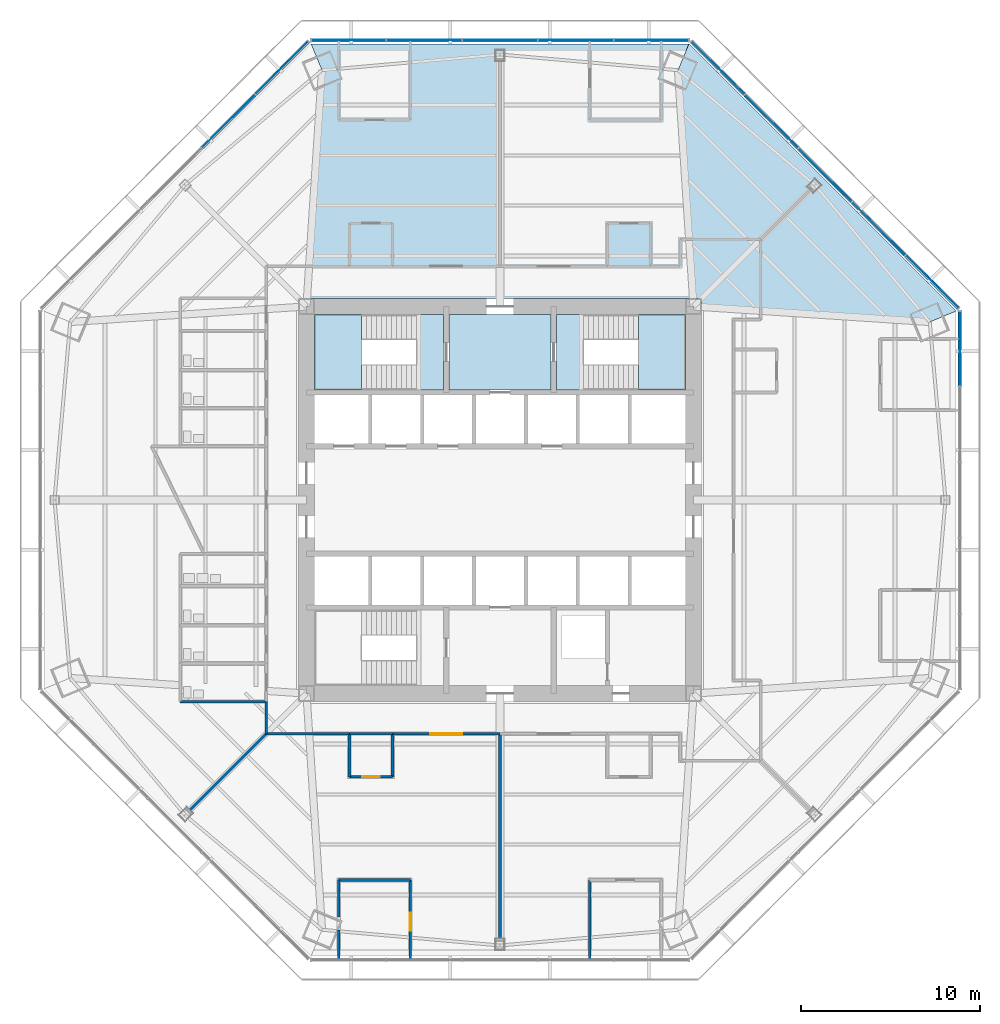
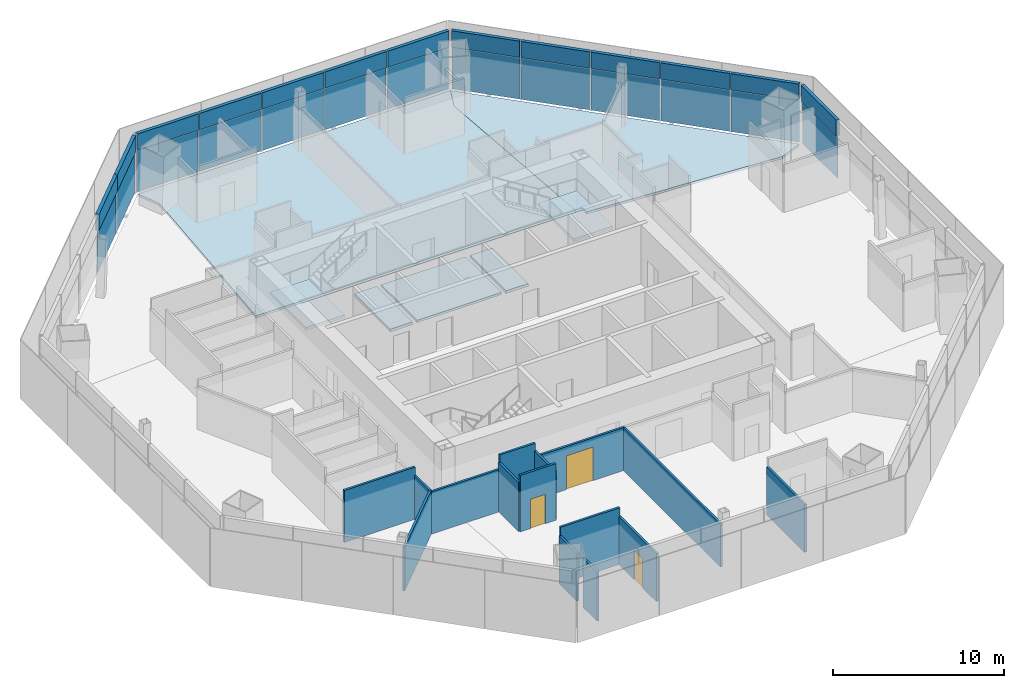
# One storey, part 10 of 18: 26 plates, 15 walls, 7 slabs, 3 doors, 3 openings, 6 elements without a shape of their own.
"""IFC4 building model written with IfcOpenShell, lengths in metres."""

from ifc_helpers import new_model, si_unit, direction, frame, frame_2d, origin, origin_2d, place, context, subcontext, project, spatial, polyline, rectangle, outline, extrude, source, transform, mapped, material, layer, layer_set, type_object, type_shapes, element, fill, aggregate, save


model = new_model("IFC4")

# Units and contexts
model_context = context("Model", 3, precision=1e-05, world=origin(), true_north=direction((0.0, 1.0)))
body_context = subcontext(model_context, "Body", "Model", "MODEL_VIEW")
ifc_project = project(units=[si_unit("LENGTHUNIT", "METRE"), si_unit("AREAUNIT", "SQUARE_METRE"), si_unit("VOLUMEUNIT", "CUBIC_METRE"), si_unit("PLANEANGLEUNIT", "RADIAN"), si_unit("MASSUNIT", "GRAM", prefix="KILO")], contexts=[model_context])

# Site, building, storey
site_placement = place(None, origin())
site = spatial("IfcSite", under=ifc_project, at=site_placement, CompositionType="ELEMENT")
building_placement = place(site_placement, origin())
building = spatial("IfcBuilding", under=site, at=building_placement, Name="Mashrafa Tower", CompositionType="ELEMENT")
storey_placement = place(building_placement, frame((0.0, 0.0, 83.39990234375)))
storey = spatial("IfcBuildingStorey", under=building, at=storey_placement, Name="L18", CompositionType="ELEMENT", Elevation=83.39990234375)

# Slabs
ifc_material_1 = material(Name="Concrete C35/45", Category="concrete")
ifc_layer_1 = layer(ifc_material_1, 0.1650390625)
ifc_layer_set_1 = layer_set([ifc_layer_1], Name="Floor slab 165")
slab_type_1 = type_object("IfcSlabType", Name="Floor slab 165", PredefinedType="FLOOR", material=ifc_layer_set_1)
slab_1_placement = place(storey_placement, frame((0.0, 0.0, -0.164794921875)))
element("IfcSlab", 1, at=slab_1_placement, inside=storey, type_object=slab_type_1, Name="Floor slab L18 north-east bay", PredefinedType="FLOOR", context=body_context, shape_type="SweptSolid", body=[
    extrude(outline(polyline([(10.5439453125, 25.45556640625), (25.45556640625, 10.5439453125), (25.45556640625, 10.5439453125), (23.98193359375, 9.93359375), (11.25, 10.7705078125), (11.25, 11.25), (10.7705078125, 11.25), (9.93359375, 23.98193359375), (10.5439453125, 25.45556640625), (10.5439453125, 25.45556640625)])), origin(), (0.0, 0.0, 1.0), 0.164794921875),
])
slab_2_placement = place(storey_placement, frame((0.0, 0.0, -0.164794921875)))
element("IfcSlab", 2, at=slab_2_placement, inside=storey, type_object=slab_type_1, Name="Floor slab L18 north bay", PredefinedType="FLOOR", context=body_context, shape_type="SweptSolid", body=[
    extrude(outline(polyline([(10.5439453125, 25.45556640625), (9.93359375, 23.98193359375), (10.7705078125, 11.25), (-10.7705078125, 11.25), (-9.93359375, 23.98193359375), (-10.5439453125, 25.45556640625), (10.5439453125, 25.45556640625)])), origin(), (0.0, 0.0, 1.0), 0.164794921875),
])
slab_3_placement = place(storey_placement, frame((0.0, 0.0, -0.164794921875)))
element("IfcSlab", 3, at=slab_3_placement, inside=storey, type_object=slab_type_1, Name="Core floor fire-fighting lobby north L18", PredefinedType="FLOOR", context=body_context, shape_type="SweptSolid", body=[
    extrude(outline(polyline([(-2.85009765625, 10.35009765625), (2.85009765625, 10.35009765625), (2.85009765625, 6.14990234375), (-2.85009765625, 6.14990234375), (-2.85009765625, 10.35009765625)])), origin(), (0.0, 0.0, 1.0), 0.164794921875),
])

# Stair, slabs
ifc_material_2 = material(Name="Exit stair 1400")
stair_type = type_object("IfcStairType", Name="Exit stair 1400", PredefinedType="HALF_TURN_STAIR", material=ifc_material_2)
stair_1_placement = place(storey_placement, origin())
stair_1 = element("IfcStair", 4, at=stair_1_placement, inside=storey, type_object=stair_type, Name="Stair S1 L18", PredefinedType="HALF_TURN_STAIR")
ifc_material_3 = material(Name="Concrete C32/40", Category="concrete")
ifc_layer_2 = layer(ifc_material_3, 0.199951171875)
ifc_layer_set_2 = layer_set([ifc_layer_2], Name="Stair landing 200")
slab_type_2 = type_object("IfcSlabType", Name="Stair landing 200", PredefinedType="LANDING", material=ifc_layer_set_2)
slab_4_placement = place(storey_placement, frame((0.0, 0.0, -0.199951171875)))
slab_4 = element("IfcSlab", 5, at=slab_4_placement, type_object=slab_type_2, Name="S1 landing 1", PredefinedType="LANDING", context=body_context, shape_type="SweptSolid", body=[
    extrude(outline(polyline([(-4.659912109375, 6.14990234375), (-3.14990234375, 6.14990234375), (-3.14990234375, 10.35009765625), (-4.659912109375, 10.35009765625), (-4.659912109375, 6.14990234375)])), origin(), (0.0, 0.0, 1.0), 0.199951171875),
])
slab_5_placement = place(storey_placement, frame((0.0, 0.0, 1.900146484375)))
slab_5 = element("IfcSlab", 6, at=slab_5_placement, type_object=slab_type_2, Name="S1 landing 2", PredefinedType="LANDING", context=body_context, shape_type="SweptSolid", body=[
    extrude(outline(polyline([(-10.35009765625, 6.14990234375), (-7.719970703125, 6.14990234375), (-7.719970703125, 10.35009765625), (-10.35009765625, 10.35009765625), (-10.35009765625, 6.14990234375)])), origin(), (0.0, 0.0, 1.0), 0.199951171875),
])
aggregate(stair_1, [slab_4, slab_5])

stair_2_placement = place(storey_placement, origin())
stair_2 = element("IfcStair", 7, at=stair_2_placement, inside=storey, type_object=stair_type, Name="Stair S2 L18", PredefinedType="HALF_TURN_STAIR")
slab_6_placement = place(storey_placement, frame((0.0, 0.0, -0.199951171875)))
slab_6 = element("IfcSlab", 8, at=slab_6_placement, type_object=slab_type_2, Name="S2 landing 1", PredefinedType="LANDING", context=body_context, shape_type="SweptSolid", body=[
    extrude(outline(polyline([(3.14990234375, 6.14990234375), (4.659912109375, 6.14990234375), (4.659912109375, 10.35009765625), (3.14990234375, 10.35009765625), (3.14990234375, 6.14990234375)])), origin(), (0.0, 0.0, 1.0), 0.199951171875),
])
slab_7_placement = place(storey_placement, frame((0.0, 0.0, 1.900146484375)))
slab_7 = element("IfcSlab", 9, at=slab_7_placement, type_object=slab_type_2, Name="S2 landing 2", PredefinedType="LANDING", context=body_context, shape_type="SweptSolid", body=[
    extrude(outline(polyline([(7.719970703125, 6.14990234375), (10.35009765625, 6.14990234375), (10.35009765625, 10.35009765625), (7.719970703125, 10.35009765625), (7.719970703125, 6.14990234375)])), origin(), (0.0, 0.0, 1.0), 0.199951171875),
])
aggregate(stair_2, [slab_6, slab_7])

# Curtain wall, plate
ifc_material_4 = material(Name="Unitised aluminium curtain wall", Category="aluminium")
curtain_wall_type = type_object("IfcCurtainWallType", Name="Office curtain wall, zone 1 CW-A 200 deep", PredefinedType="NOTDEFINED", material=ifc_material_4)
curtain_wall_1_placement = place(storey_placement, origin())
curtain_wall_1 = element("IfcCurtainWall", 10, at=curtain_wall_1_placement, inside=storey, type_object=curtain_wall_type, Name="Office curtain wall, zone 1 L18 east", PredefinedType="NOTDEFINED")
ifc_material_5 = material(Name="Insulated double glazing, low-e, neutral", Category="glass")
ifc_layer_3 = layer(ifc_material_5, 0.028076171875)
ifc_layer_set_3 = layer_set([ifc_layer_3], Name="Vision panel CW-A 28")
plate_type_1 = type_object("IfcPlateType", Name="Vision panel CW-A 28", PredefinedType="CURTAIN_PANEL", material=ifc_layer_set_3)
shared_shape_1 = source(origin(), body_context, "Body", "SweptSolid", [
    extrude(rectangle(XDim=4.132568359375, YDim=0.028076171875, at=origin_2d()), origin(), (0.0, 0.0, 1.0), 2.9599609375),
])
plate_1_placement = place(storey_placement, frame((25.655517578125, 8.444091796875, 0.0), z_axis=(0.0, 0.0, 1.0), x_axis=(0.0, 1.0, 0.0)))
plate_1 = element("IfcPlate", 11, at=plate_1_placement, type_object=plate_type_1, Name="CW-A vision panel 5", PredefinedType="CURTAIN_PANEL", context=body_context, shape_type="MappedRepresentation", body=[
    mapped(shared_shape_1, transform((0.0, 0.0, 0.0))),
])

# Curtain wall, plates
curtain_wall_2_placement = place(storey_placement, origin())
curtain_wall_2 = element("IfcCurtainWall", 12, at=curtain_wall_2_placement, inside=storey, type_object=curtain_wall_type, Name="Office curtain wall, zone 1 L18 north-east", PredefinedType="NOTDEFINED")
plate_2_placement = place(storey_placement, frame((24.112060546875, 12.170166015625, 0.0), z_axis=(0.0, 0.0, 1.0), x_axis=(-0.707106781187, 0.707106781187, 0.0)))
plate_2 = element("IfcPlate", 13, at=plate_2_placement, type_object=plate_type_1, Name="CW-A vision panel 1", PredefinedType="CURTAIN_PANEL", context=body_context, shape_type="MappedRepresentation", body=[
    mapped(shared_shape_1, transform((0.0, 0.0, 0.0))),
])
plate_3_placement = place(storey_placement, frame((12.170166015625, 24.112060546875, 0.0), z_axis=(0.0, 0.0, 1.0), x_axis=(-0.707106781187, 0.707106781187, 0.0)))
plate_3 = element("IfcPlate", 14, at=plate_3_placement, type_object=plate_type_1, Name="CW-A vision panel 5", PredefinedType="CURTAIN_PANEL", context=body_context, shape_type="MappedRepresentation", body=[
    mapped(shared_shape_1, transform((0.0, 0.0, 0.0))),
])

curtain_wall_3_placement = place(storey_placement, origin())
curtain_wall_3 = element("IfcCurtainWall", 15, at=curtain_wall_3_placement, inside=storey, type_object=curtain_wall_type, Name="Office curtain wall, zone 1 L18 north", PredefinedType="NOTDEFINED")
plate_4_placement = place(storey_placement, frame((8.444091796875, 25.655517578125, 0.0), z_axis=(0.0, 0.0, 1.0), x_axis=(-1.0, 0.0, 0.0)))
plate_4 = element("IfcPlate", 16, at=plate_4_placement, type_object=plate_type_1, Name="CW-A vision panel 1", PredefinedType="CURTAIN_PANEL", context=body_context, shape_type="MappedRepresentation", body=[
    mapped(shared_shape_1, transform((0.0, 0.0, 0.0))),
])
plate_5_placement = place(storey_placement, frame((-8.444091796875, 25.655517578125, 0.0), z_axis=(0.0, 0.0, 1.0), x_axis=(-1.0, 0.0, 0.0)))
plate_5 = element("IfcPlate", 17, at=plate_5_placement, type_object=plate_type_1, Name="CW-A vision panel 5", PredefinedType="CURTAIN_PANEL", context=body_context, shape_type="MappedRepresentation", body=[
    mapped(shared_shape_1, transform((0.0, 0.0, 0.0))),
])

# Curtain wall, plate
curtain_wall_4_placement = place(storey_placement, origin())
curtain_wall_4 = element("IfcCurtainWall", 18, at=curtain_wall_4_placement, inside=storey, type_object=curtain_wall_type, Name="Office curtain wall, zone 1 L18 north-west", PredefinedType="NOTDEFINED")
plate_6_placement = place(storey_placement, frame((-12.170166015625, 24.112060546875, 0.0), z_axis=(0.0, 0.0, 1.0), x_axis=(-0.707106781187, -0.707106781187, 0.0)))
plate_6 = element("IfcPlate", 19, at=plate_6_placement, type_object=plate_type_1, Name="CW-A vision panel 1", PredefinedType="CURTAIN_PANEL", context=body_context, shape_type="MappedRepresentation", body=[
    mapped(shared_shape_1, transform((0.0, 0.0, 0.0))),
])

# Plate
ifc_material_6 = material(Name="Insulated aluminium spandrel panel", Category="aluminium")
ifc_layer_4 = layer(ifc_material_6, 0.219970703125)
ifc_layer_set_4 = layer_set([ifc_layer_4], Name="Spandrel panel CW-A 220")
plate_type_2 = type_object("IfcPlateType", Name="Spandrel panel CW-A 220", PredefinedType="CURTAIN_PANEL", material=ifc_layer_set_4)
shared_shape_2 = source(origin(), body_context, "Body", "SweptSolid", [
    extrude(rectangle(XDim=4.132568359375, YDim=0.219970703125, at=origin_2d()), origin(), (0.0, 0.0, 1.0), 1.159912109375),
])
plate_7_placement = place(storey_placement, frame((25.655517578125, 8.444091796875, 3.0400390625), z_axis=(0.0, 0.0, 1.0), x_axis=(0.0, 1.0, 0.0)))
plate_7 = element("IfcPlate", 20, at=plate_7_placement, type_object=plate_type_2, Name="CW-A spandrel panel 5", PredefinedType="CURTAIN_PANEL", context=body_context, shape_type="MappedRepresentation", body=[
    mapped(shared_shape_2, transform((0.0, 0.0, 0.0))),
])

aggregate(curtain_wall_1, [plate_1, plate_7])

plate_8_placement = place(storey_placement, frame((24.112060546875, 12.170166015625, 3.0400390625), z_axis=(0.0, 0.0, 1.0), x_axis=(-0.707106781187, 0.707106781187, 0.0)))
plate_8 = element("IfcPlate", 21, at=plate_8_placement, type_object=plate_type_2, Name="CW-A spandrel panel 1", PredefinedType="CURTAIN_PANEL", context=body_context, shape_type="MappedRepresentation", body=[
    mapped(shared_shape_2, transform((0.0, 0.0, 0.0))),
])

plate_9_placement = place(storey_placement, frame((12.170166015625, 24.112060546875, 3.0400390625), z_axis=(0.0, 0.0, 1.0), x_axis=(-0.707106781187, 0.707106781187, 0.0)))
plate_9 = element("IfcPlate", 22, at=plate_9_placement, type_object=plate_type_2, Name="CW-A spandrel panel 5", PredefinedType="CURTAIN_PANEL", context=body_context, shape_type="MappedRepresentation", body=[
    mapped(shared_shape_2, transform((0.0, 0.0, 0.0))),
])

plate_10_placement = place(storey_placement, frame((8.444091796875, 25.655517578125, 3.0400390625), z_axis=(0.0, 0.0, 1.0), x_axis=(-1.0, 0.0, 0.0)))
plate_10 = element("IfcPlate", 23, at=plate_10_placement, type_object=plate_type_2, Name="CW-A spandrel panel 1", PredefinedType="CURTAIN_PANEL", context=body_context, shape_type="MappedRepresentation", body=[
    mapped(shared_shape_2, transform((0.0, 0.0, 0.0))),
])

plate_11_placement = place(storey_placement, frame((-8.444091796875, 25.655517578125, 3.0400390625), z_axis=(0.0, 0.0, 1.0), x_axis=(-1.0, 0.0, 0.0)))
plate_11 = element("IfcPlate", 24, at=plate_11_placement, type_object=plate_type_2, Name="CW-A spandrel panel 5", PredefinedType="CURTAIN_PANEL", context=body_context, shape_type="MappedRepresentation", body=[
    mapped(shared_shape_2, transform((0.0, 0.0, 0.0))),
])

plate_12_placement = place(storey_placement, frame((-12.170166015625, 24.112060546875, 3.0400390625), z_axis=(0.0, 0.0, 1.0), x_axis=(-0.707106781187, -0.707106781187, 0.0)))
plate_12 = element("IfcPlate", 25, at=plate_12_placement, type_object=plate_type_2, Name="CW-A spandrel panel 1", PredefinedType="CURTAIN_PANEL", context=body_context, shape_type="MappedRepresentation", body=[
    mapped(shared_shape_2, transform((0.0, 0.0, 0.0))),
])

shared_shape_3 = source(origin(), body_context, "Body", "SweptSolid", [
    extrude(rectangle(XDim=4.165283203125, YDim=0.028076171875, at=origin_2d()), origin(), (0.0, 0.0, 1.0), 2.9599609375),
])
type_shapes(plate_type_1, [shared_shape_1, shared_shape_3])
plate_13_placement = place(storey_placement, frame((21.13232421875, 15.14990234375, 0.0), z_axis=(0.0, 0.0, 1.0), x_axis=(-0.707106781187, 0.707106781187, 0.0)))
plate_13 = element("IfcPlate", 26, at=plate_13_placement, type_object=plate_type_1, Name="CW-A vision panel 2", PredefinedType="CURTAIN_PANEL", context=body_context, shape_type="MappedRepresentation", body=[
    mapped(shared_shape_3, transform((0.0, 0.0, 0.0))),
])

plate_14_placement = place(storey_placement, frame((18.14111328125, 18.14111328125, 0.0), z_axis=(0.0, 0.0, 1.0), x_axis=(-0.707106781187, 0.707106781187, 0.0)))
plate_14 = element("IfcPlate", 27, at=plate_14_placement, type_object=plate_type_1, Name="CW-A vision panel 3", PredefinedType="CURTAIN_PANEL", context=body_context, shape_type="MappedRepresentation", body=[
    mapped(shared_shape_3, transform((0.0, 0.0, 0.0))),
])

plate_15_placement = place(storey_placement, frame((15.14990234375, 21.13232421875, 0.0), z_axis=(0.0, 0.0, 1.0), x_axis=(-0.707106781187, 0.707106781187, 0.0)))
plate_15 = element("IfcPlate", 28, at=plate_15_placement, type_object=plate_type_1, Name="CW-A vision panel 4", PredefinedType="CURTAIN_PANEL", context=body_context, shape_type="MappedRepresentation", body=[
    mapped(shared_shape_3, transform((0.0, 0.0, 0.0))),
])

plate_16_placement = place(storey_placement, frame((4.230224609375, 25.655517578125, 0.0), z_axis=(0.0, 0.0, 1.0), x_axis=(-1.0, 0.0, 0.0)))
plate_16 = element("IfcPlate", 29, at=plate_16_placement, type_object=plate_type_1, Name="CW-A vision panel 2", PredefinedType="CURTAIN_PANEL", context=body_context, shape_type="MappedRepresentation", body=[
    mapped(shared_shape_3, transform((0.0, 0.0, 0.0))),
])

plate_17_placement = place(storey_placement, frame((0.0, 25.655517578125, 0.0), z_axis=(0.0, 0.0, 1.0), x_axis=(-1.0, 0.0, 0.0)))
plate_17 = element("IfcPlate", 30, at=plate_17_placement, type_object=plate_type_1, Name="CW-A vision panel 3", PredefinedType="CURTAIN_PANEL", context=body_context, shape_type="MappedRepresentation", body=[
    mapped(shared_shape_3, transform((0.0, 0.0, 0.0))),
])

plate_18_placement = place(storey_placement, frame((-4.230224609375, 25.655517578125, 0.0), z_axis=(0.0, 0.0, 1.0), x_axis=(-1.0, 0.0, 0.0)))
plate_18 = element("IfcPlate", 31, at=plate_18_placement, type_object=plate_type_1, Name="CW-A vision panel 4", PredefinedType="CURTAIN_PANEL", context=body_context, shape_type="MappedRepresentation", body=[
    mapped(shared_shape_3, transform((0.0, 0.0, 0.0))),
])

plate_19_placement = place(storey_placement, frame((-15.14990234375, 21.13232421875, 0.0), z_axis=(0.0, 0.0, 1.0), x_axis=(-0.707106781187, -0.707106781187, 0.0)))
plate_19 = element("IfcPlate", 32, at=plate_19_placement, type_object=plate_type_1, Name="CW-A vision panel 2", PredefinedType="CURTAIN_PANEL", context=body_context, shape_type="MappedRepresentation", body=[
    mapped(shared_shape_3, transform((0.0, 0.0, 0.0))),
])

shared_shape_4 = source(origin(), body_context, "Body", "SweptSolid", [
    extrude(rectangle(XDim=4.165283203125, YDim=0.219970703125, at=origin_2d()), origin(), (0.0, 0.0, 1.0), 1.159912109375),
])
type_shapes(plate_type_2, [shared_shape_2, shared_shape_4])
plate_20_placement = place(storey_placement, frame((21.13232421875, 15.14990234375, 3.0400390625), z_axis=(0.0, 0.0, 1.0), x_axis=(-0.707106781187, 0.707106781187, 0.0)))
plate_20 = element("IfcPlate", 33, at=plate_20_placement, type_object=plate_type_2, Name="CW-A spandrel panel 2", PredefinedType="CURTAIN_PANEL", context=body_context, shape_type="MappedRepresentation", body=[
    mapped(shared_shape_4, transform((0.0, 0.0, 0.0))),
])

plate_21_placement = place(storey_placement, frame((18.14111328125, 18.14111328125, 3.0400390625), z_axis=(0.0, 0.0, 1.0), x_axis=(-0.707106781187, 0.707106781187, 0.0)))
plate_21 = element("IfcPlate", 34, at=plate_21_placement, type_object=plate_type_2, Name="CW-A spandrel panel 3", PredefinedType="CURTAIN_PANEL", context=body_context, shape_type="MappedRepresentation", body=[
    mapped(shared_shape_4, transform((0.0, 0.0, 0.0))),
])

plate_22_placement = place(storey_placement, frame((15.14990234375, 21.13232421875, 3.0400390625), z_axis=(0.0, 0.0, 1.0), x_axis=(-0.707106781187, 0.707106781187, 0.0)))
plate_22 = element("IfcPlate", 35, at=plate_22_placement, type_object=plate_type_2, Name="CW-A spandrel panel 4", PredefinedType="CURTAIN_PANEL", context=body_context, shape_type="MappedRepresentation", body=[
    mapped(shared_shape_4, transform((0.0, 0.0, 0.0))),
])

aggregate(curtain_wall_2, [plate_2, plate_8, plate_13, plate_20, plate_14, plate_21, plate_15, plate_22, plate_3, plate_9])

plate_23_placement = place(storey_placement, frame((4.230224609375, 25.655517578125, 3.0400390625), z_axis=(0.0, 0.0, 1.0), x_axis=(-1.0, 0.0, 0.0)))
plate_23 = element("IfcPlate", 36, at=plate_23_placement, type_object=plate_type_2, Name="CW-A spandrel panel 2", PredefinedType="CURTAIN_PANEL", context=body_context, shape_type="MappedRepresentation", body=[
    mapped(shared_shape_4, transform((0.0, 0.0, 0.0))),
])

plate_24_placement = place(storey_placement, frame((0.0, 25.655517578125, 3.0400390625), z_axis=(0.0, 0.0, 1.0), x_axis=(-1.0, 0.0, 0.0)))
plate_24 = element("IfcPlate", 37, at=plate_24_placement, type_object=plate_type_2, Name="CW-A spandrel panel 3", PredefinedType="CURTAIN_PANEL", context=body_context, shape_type="MappedRepresentation", body=[
    mapped(shared_shape_4, transform((0.0, 0.0, 0.0))),
])

plate_25_placement = place(storey_placement, frame((-4.230224609375, 25.655517578125, 3.0400390625), z_axis=(0.0, 0.0, 1.0), x_axis=(-1.0, 0.0, 0.0)))
plate_25 = element("IfcPlate", 38, at=plate_25_placement, type_object=plate_type_2, Name="CW-A spandrel panel 4", PredefinedType="CURTAIN_PANEL", context=body_context, shape_type="MappedRepresentation", body=[
    mapped(shared_shape_4, transform((0.0, 0.0, 0.0))),
])

aggregate(curtain_wall_3, [plate_4, plate_10, plate_16, plate_23, plate_17, plate_24, plate_18, plate_25, plate_5, plate_11])

plate_26_placement = place(storey_placement, frame((-15.14990234375, 21.13232421875, 3.0400390625), z_axis=(0.0, 0.0, 1.0), x_axis=(-0.707106781187, -0.707106781187, 0.0)))
plate_26 = element("IfcPlate", 39, at=plate_26_placement, type_object=plate_type_2, Name="CW-A spandrel panel 2", PredefinedType="CURTAIN_PANEL", context=body_context, shape_type="MappedRepresentation", body=[
    mapped(shared_shape_4, transform((0.0, 0.0, 0.0))),
])

aggregate(curtain_wall_4, [plate_6, plate_12, plate_19, plate_26])

# Walls
ifc_material_7 = material(Name="Gypsum board on steel studs", Category="steel")
ifc_layer_5 = layer(ifc_material_7, 0.14990234375)
ifc_layer_set_5 = layer_set([ifc_layer_5], Name="Corridor partition 150 1 hr")
wall_type_1 = type_object("IfcWallType", Name="Corridor partition 150 1 hr", PredefinedType="PARTITIONING", material=ifc_layer_set_5)
wall_1_placement = place(storey_placement, frame((-8.40087890625, -13.050048828125, 0.0), z_axis=(0.0, 0.0, 1.0), x_axis=(1.0, 0.0, 0.0)))
element("IfcWall", 40, at=wall_1_placement, inside=storey, type_object=wall_type_1, Name="Corridor wall L18-014", PredefinedType="PARTITIONING", context=body_context, shape_type="SweptSolid", body=[
    extrude(rectangle(XDim=2.40185546875, YDim=0.14990234375, at=frame_2d((1.200927734375, 0.0))), origin(), (0.0, 0.0, 1.0), 4.03515625),
])
wall_2_placement = place(storey_placement, frame((-13.050048828125, -11.2490234375, 0.0), z_axis=(0.0, 0.0, 1.0), x_axis=(0.0, -1.0, 0.0)))
element("IfcWall", 41, at=wall_2_placement, inside=storey, type_object=wall_type_1, Name="Corridor wall L18-019", PredefinedType="PARTITIONING", context=body_context, shape_type="SweptSolid", body=[
    extrude(rectangle(XDim=1.801025390625, YDim=0.14990234375, at=frame_2d((0.900390625, 0.0))), origin(), (0.0, 0.0, 1.0), 3.11328125),
])
wall_3_placement = place(storey_placement, frame((-13.050048828125, -13.050048828125, 0.0), z_axis=(0.0, 0.0, 1.0), x_axis=(1.0, 0.0, 0.0)))
element("IfcWall", 42, at=wall_3_placement, inside=storey, type_object=wall_type_1, Name="Corridor wall L18-033", PredefinedType="PARTITIONING", context=body_context, shape_type="SweptSolid", body=[
    extrude(rectangle(XDim=4.651123046875, YDim=0.14990234375, at=frame_2d((2.32568359375, 0.0))), origin(), (0.0, 0.0, 1.0), 3.01416015625),
])

# Wall, opening, door
wall_4_placement = place(storey_placement, frame((-6.0009765625, -13.050048828125, 0.0), z_axis=(0.0, 0.0, 1.0), x_axis=(1.0, 0.0, 0.0)))
wall_4 = element("IfcWall", 43, at=wall_4_placement, inside=storey, type_object=wall_type_1, Name="Corridor wall L18-034", PredefinedType="PARTITIONING", context=body_context, shape_type="SweptSolid", body=[
    extrude(rectangle(XDim=6.001953125, YDim=0.14990234375, at=frame_2d((3.0009765625, 0.0))), origin(), (0.0, 0.0, 1.0), 3.06494140625),
])
opening_1_placement = place(wall_4_placement, frame((2.10107421875, 0.0, 0.0)))
opening_1 = element("IfcOpeningElement", 44, at=opening_1_placement, cuts=wall_4, Name="Opening 18.025", PredefinedType="OPENING", context=body_context, shape_type="SweptSolid", body=[
    extrude(rectangle(XDim=1.800048828125, YDim=2.39990234375, at=frame_2d((0.89990234375, 1.199951171875))), frame((0.0, 0.0849609375, 0.0), z_axis=(0.0, -1.0, 0.0), x_axis=(1.0, 0.0, 0.0)), (0.0, 0.0, 1.0), 0.169921875),
])
ifc_material_8 = material(Name="Timber door", Category="wood")
door_type_1 = type_object("IfcDoorType", Name="Door pair 1800 x 2400", OperationType="DOUBLE_DOOR_SINGLE_SWING", PredefinedType="DOOR", material=ifc_material_8)
door_1_placement = place(opening_1_placement, frame((1.800048828125, 0.0, 0.0), z_axis=(0.0, 0.0, 1.0), x_axis=(-1.0, 0.0, 0.0)))
door_1 = element("IfcDoor", 45, at=door_1_placement, inside=storey, type_object=door_type_1, Name="Office Suite 18-SW door", OperationType="DOUBLE_DOOR_SINGLE_SWING", OverallHeight=2.39990234375, OverallWidth=1.800048828125, PredefinedType="DOOR", context=body_context, shape_type="SweptSolid", body=[
    extrude(rectangle(XDim=1.800048828125, YDim=2.39990234375, at=frame_2d((0.89990234375, 1.199951171875))), frame((0.0, 0.02490234375, 0.0), z_axis=(0.0, -1.0, 0.0), x_axis=(1.0, 0.0, 0.0)), (0.0, 0.0, 1.0), 0.050048828125),
])
fill(opening_1, door_1)

# Walls
ifc_material_9 = material(Name="Gypsum board on steel studs", Category="steel")
ifc_layer_6 = layer(ifc_material_9, 0.14990234375)
ifc_layer_set_6 = layer_set([ifc_layer_6], Name="Partition 150")
wall_type_2 = type_object("IfcWallType", Name="Partition 150", PredefinedType="PARTITIONING", material=ifc_layer_set_6)
wall_5_placement = place(storey_placement, frame((-17.85009765625, -11.25, 0.0), z_axis=(0.0, 0.0, 1.0), x_axis=(1.0, 0.0, 0.0)))
element("IfcWall", 46, at=wall_5_placement, inside=storey, type_object=wall_type_2, Name="Partition wall L18-046", PredefinedType="PARTITIONING", context=body_context, shape_type="SweptSolid", body=[
    extrude(rectangle(XDim=4.800048828125, YDim=0.14990234375, at=frame_2d((2.39990234375, 0.0))), origin(), (0.0, 0.0, 1.0), 3.715087890625),
])
wall_6_placement = place(storey_placement, frame((5.0, -21.205322265625, 0.0), z_axis=(0.0, 0.0, 1.0), x_axis=(0.0, -1.0, 0.0)))
element("IfcWall", 47, at=wall_6_placement, inside=storey, type_object=wall_type_2, Name="Partition wall L18-080", PredefinedType="PARTITIONING", context=body_context, shape_type="SweptSolid", body=[
    extrude(rectangle(XDim=4.43212890625, YDim=0.14990234375, at=frame_2d((2.216064453125, 0.0))), origin(), (0.0, 0.0, 1.0), 3.423095703125),
])

# Wall, opening, door
wall_7_placement = place(storey_placement, frame((-5.0, -25.639404296875, 0.0), z_axis=(0.0, 0.0, 1.0), x_axis=(0.0, 1.0, 0.0)))
wall_7 = element("IfcWall", 48, at=wall_7_placement, inside=storey, type_object=wall_type_2, Name="Partition wall L18-084", PredefinedType="PARTITIONING", context=body_context, shape_type="SweptSolid", body=[
    extrude(rectangle(XDim=4.43408203125, YDim=0.14990234375, at=frame_2d((2.217041015625, 0.0))), origin(), (0.0, 0.0, 1.0), 3.423095703125),
])
opening_2_placement = place(wall_7_placement, frame((1.59912109375, 0.0, 0.0)))
opening_2 = element("IfcOpeningElement", 49, at=opening_2_placement, cuts=wall_7, Name="Opening 18.018", PredefinedType="OPENING", context=body_context, shape_type="SweptSolid", body=[
    extrude(rectangle(XDim=1.0, YDim=2.10009765625, at=frame_2d((0.5, 1.050048828125))), frame((0.0, 0.0849609375, 0.0), z_axis=(0.0, -1.0, 0.0), x_axis=(1.0, 0.0, 0.0)), (0.0, 0.0, 1.0), 0.169921875),
])
ifc_material_10 = material(Name="Timber door", Category="wood")
door_type_2 = type_object("IfcDoorType", Name="Door 1000 x 2100", OperationType="USERDEFINED", PredefinedType="DOOR", material=ifc_material_10)
door_2_placement = place(opening_2_placement, origin())
door_2 = element("IfcDoor", 50, at=door_2_placement, inside=storey, type_object=door_type_2, Name="Manager's Office 18-SW door", OperationType="SINGLE_SWING_LEFT", OverallHeight=2.10009765625, OverallWidth=1.0, PredefinedType="DOOR", context=body_context, shape_type="SweptSolid", body=[
    extrude(rectangle(XDim=1.0, YDim=2.10009765625, at=frame_2d((0.5, 1.050048828125))), frame((0.0, 0.02490234375, 0.0), z_axis=(0.0, -1.0, 0.0), x_axis=(1.0, 0.0, 0.0)), (0.0, 0.0, 1.0), 0.050048828125),
])
fill(opening_2, door_2)

# Walls
wall_8_placement = place(storey_placement, frame((-5.0, -21.205322265625, 0.0), z_axis=(0.0, 0.0, 1.0), x_axis=(-1.0, 0.0, 0.0)))
element("IfcWall", 51, at=wall_8_placement, inside=storey, type_object=wall_type_2, Name="Partition wall L18-085", PredefinedType="PARTITIONING", context=body_context, shape_type="SweptSolid", body=[
    extrude(rectangle(XDim=4.0, YDim=0.14990234375, at=frame_2d((2.0, 0.0))), origin(), (0.0, 0.0, 1.0), 4.03515625),
])
wall_9_placement = place(storey_placement, frame((-9.0, -21.205322265625, 0.0), z_axis=(0.0, 0.0, 1.0), x_axis=(0.0, -1.0, 0.0)))
element("IfcWall", 52, at=wall_9_placement, inside=storey, type_object=wall_type_2, Name="Partition wall L18-086", PredefinedType="PARTITIONING", context=body_context, shape_type="SweptSolid", body=[
    extrude(rectangle(XDim=2.07763671875, YDim=0.14990234375, at=frame_2d((1.038818359375, 0.0))), origin(), (0.0, 0.0, 1.0), 3.423095703125),
])
wall_10_placement = place(storey_placement, frame((-9.0, -23.998779296875, 0.0), z_axis=(0.0, 0.0, 1.0), x_axis=(0.0, -1.0, 0.0)))
element("IfcWall", 53, at=wall_10_placement, inside=storey, type_object=wall_type_2, Name="Partition wall L18-087", PredefinedType="PARTITIONING", context=body_context, shape_type="SweptSolid", body=[
    extrude(rectangle(XDim=1.638671875, YDim=0.14990234375, at=frame_2d((0.8193359375, 0.0))), origin(), (0.0, 0.0, 1.0), 3.496826171875),
])
wall_11_placement = place(storey_placement, frame((-8.39990234375, -13.050048828125, 0.0), z_axis=(0.0, 0.0, 1.0), x_axis=(0.0, -1.0, 0.0)))
element("IfcWall", 54, at=wall_11_placement, inside=storey, type_object=wall_type_2, Name="Partition wall L18-088", PredefinedType="PARTITIONING", context=body_context, shape_type="SweptSolid", body=[
    extrude(rectangle(XDim=2.39990234375, YDim=0.14990234375, at=frame_2d((1.199951171875, 0.0))), origin(), (0.0, 0.0, 1.0), 3.49169921875),
])

# Wall, opening, door
wall_12_placement = place(storey_placement, frame((-8.39990234375, -15.449951171875, 0.0), z_axis=(0.0, 0.0, 1.0), x_axis=(1.0, 0.0, 0.0)))
wall_12 = element("IfcWall", 55, at=wall_12_placement, inside=storey, type_object=wall_type_2, Name="Partition wall L18-089", PredefinedType="PARTITIONING", context=body_context, shape_type="SweptSolid", body=[
    extrude(rectangle(XDim=2.39990234375, YDim=0.14990234375, at=frame_2d((1.199951171875, 0.0))), origin(), (0.0, 0.0, 1.0), 4.03515625),
])
opening_3_placement = place(wall_12_placement, frame((0.699951171875, 0.0, 0.0)))
opening_3 = element("IfcOpeningElement", 56, at=opening_3_placement, cuts=wall_12, Name="Opening 18.019", PredefinedType="OPENING", context=body_context, shape_type="SweptSolid", body=[
    extrude(rectangle(XDim=1.0, YDim=2.10009765625, at=frame_2d((0.5, 1.050048828125))), frame((0.0, 0.0849609375, 0.0), z_axis=(0.0, -1.0, 0.0), x_axis=(1.0, 0.0, 0.0)), (0.0, 0.0, 1.0), 0.169921875),
])
door_3_placement = place(opening_3_placement, origin())
door_3 = element("IfcDoor", 57, at=door_3_placement, inside=storey, type_object=door_type_2, Name="Kitchenette 18-SW door", OperationType="SINGLE_SWING_LEFT", OverallHeight=2.10009765625, OverallWidth=1.0, PredefinedType="DOOR", context=body_context, shape_type="SweptSolid", body=[
    extrude(rectangle(XDim=1.0, YDim=2.10009765625, at=frame_2d((0.5, 1.050048828125))), frame((0.0, 0.02490234375, 0.0), z_axis=(0.0, -1.0, 0.0), x_axis=(1.0, 0.0, 0.0)), (0.0, 0.0, 1.0), 0.050048828125),
])
fill(opening_3, door_3)

# Walls
wall_13_placement = place(storey_placement, frame((-6.0, -15.449951171875, 0.0), z_axis=(0.0, 0.0, 1.0), x_axis=(0.0, 1.0, 0.0)))
element("IfcWall", 58, at=wall_13_placement, inside=storey, type_object=wall_type_2, Name="Partition wall L18-090", PredefinedType="PARTITIONING", context=body_context, shape_type="SweptSolid", body=[
    extrude(rectangle(XDim=2.39990234375, YDim=0.14990234375, at=frame_2d((1.199951171875, 0.0))), origin(), (0.0, 0.0, 1.0), 3.49169921875),
])
wall_14_placement = place(storey_placement, frame((-17.30126953125, -17.30126953125, 0.0), z_axis=(0.0, 0.0, 1.0), x_axis=(0.707106781187, 0.707106781187, 0.0)))
element("IfcWall", 59, at=wall_14_placement, inside=storey, type_object=wall_type_2, Name="Partition wall L18-097", PredefinedType="PARTITIONING", context=body_context, shape_type="SweptSolid", body=[
    extrude(rectangle(XDim=6.01220703125, YDim=0.14990234375, at=frame_2d((3.006103515625, 0.0))), origin(), (0.0, 0.0, 1.0), 3.11328125),
])
wall_15_placement = place(storey_placement, frame((0.0, -13.050048828125, 0.0), z_axis=(0.0, 0.0, 1.0), x_axis=(0.0, -1.0, 0.0)))
element("IfcWall", 60, at=wall_15_placement, inside=storey, type_object=wall_type_2, Name="Partition wall L18-099", PredefinedType="PARTITIONING", context=body_context, shape_type="SweptSolid", body=[
    extrude(rectangle(XDim=11.41748046875, YDim=0.14990234375, at=frame_2d((5.708740234375, 0.0))), origin(), (0.0, 0.0, 1.0), 3.06494140625),
])

save(model, "model.ifc")
